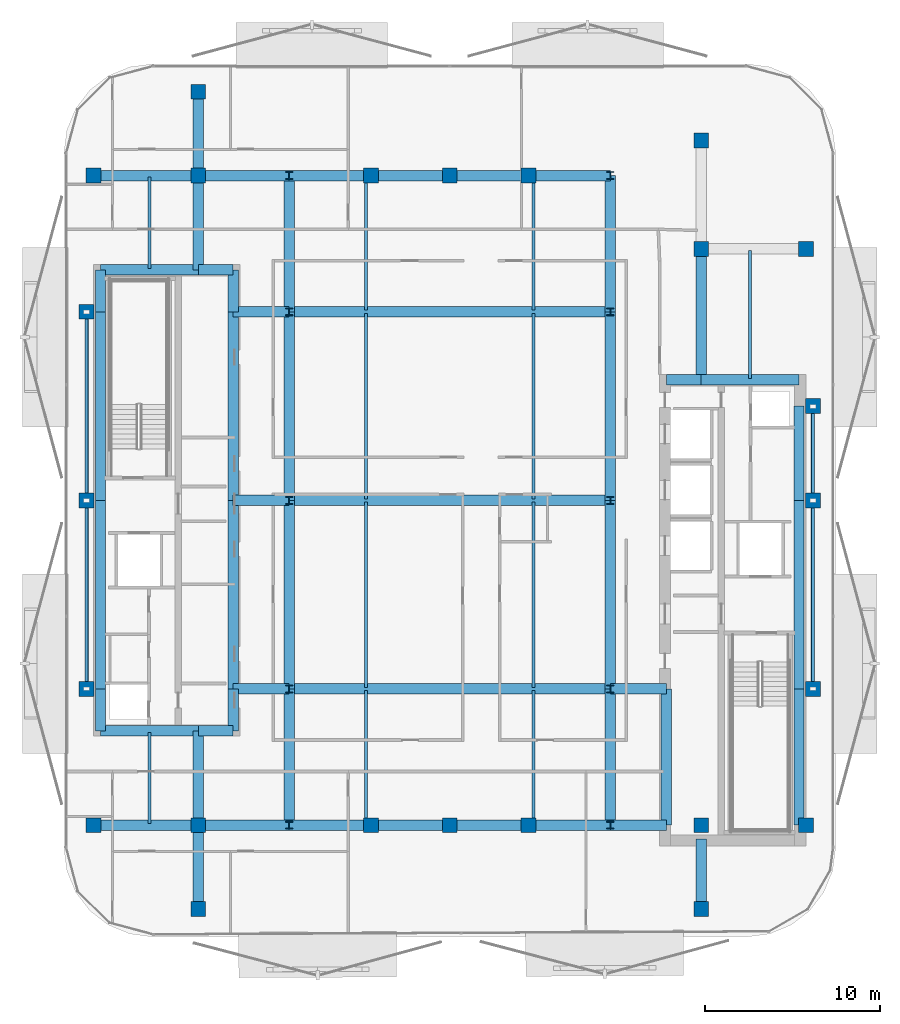
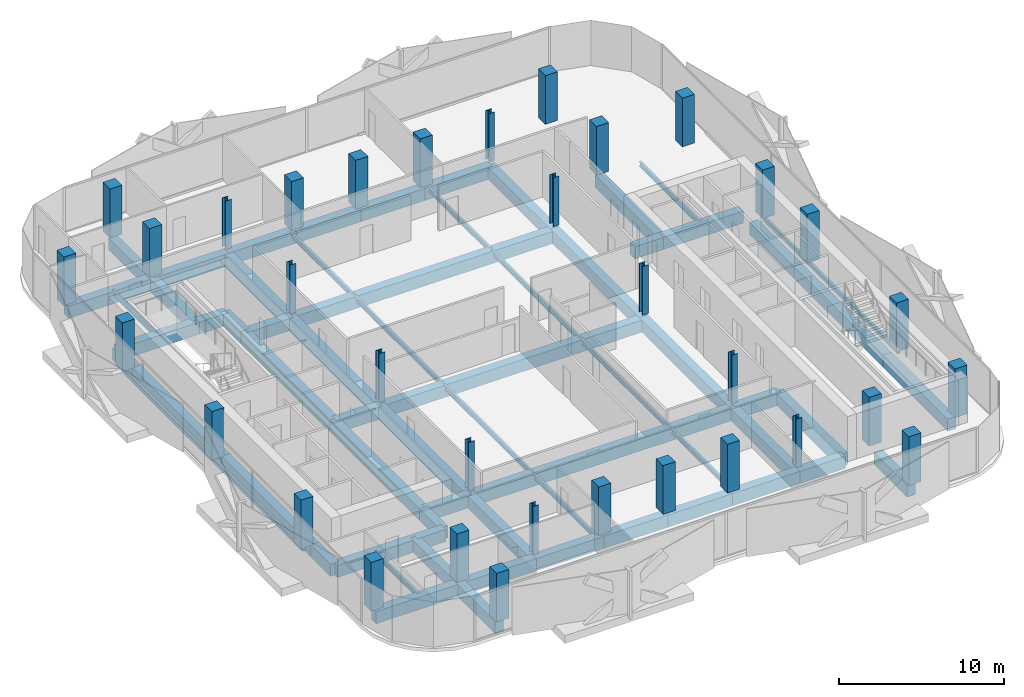
# One storey, part 1 of 14: 67 beams, 34 columns.
"""IFC4 building model written with IfcOpenShell, lengths in metres."""

from ifc_helpers import new_model, si_unit, direction, frame, origin, origin_2d, place, context, subcontext, project, spatial, rectangle, hollow_rectangle, i_section, extrude, material, material_profile, profile_set, type_object, element, save


model = new_model("IFC4")

# Units and contexts
model_context = context("Model", 3, precision=1e-05, world=origin(), true_north=direction((0.0, 1.0)))
body_context = subcontext(model_context, "Body", "Model", "MODEL_VIEW")
ifc_project = project(units=[si_unit("LENGTHUNIT", "METRE"), si_unit("AREAUNIT", "SQUARE_METRE"), si_unit("VOLUMEUNIT", "CUBIC_METRE"), si_unit("PLANEANGLEUNIT", "RADIAN"), si_unit("MASSUNIT", "GRAM", prefix="KILO")], contexts=[model_context])

# Site, building, storey
site_placement = place(None, origin())
site = spatial("IfcSite", under=ifc_project, at=site_placement, CompositionType="ELEMENT")
building_placement = place(site_placement, origin())
building = spatial("IfcBuilding", under=site, at=building_placement, Name="Khairoan Windgate Tower", CompositionType="ELEMENT")
storey_placement = place(building_placement, frame((0.0, 0.0, 236.800048828125)))
storey = spatial("IfcBuildingStorey", under=building, at=storey_placement, Name="L55", CompositionType="ELEMENT", Elevation=236.800048828125)

# Columns
ifc_material_1 = material(Name="Concrete C50/60", Category="concrete")
ifc_material_profile_1 = material_profile(ifc_material_1, rectangle(XDim=0.85009765625, YDim=0.85009765625, at=origin_2d()))
ifc_profile_set_1 = profile_set([ifc_material_profile_1], Name="Concrete C50/60")
column_type_1 = type_object("IfcColumnType", Name="Column C-T5 RC850x850", PredefinedType="COLUMN", material=ifc_profile_set_1)
for number, where, z_axis, x_axis, name in (
    (1, (-20.39990234375, -18.60009765625, 0.0), (0.0, 0.0, 1.0), (1.0, 0.0, 0.0), "Column L55-11"),
    (2, (-20.39990234375, 18.60009765625, 0.0), (0.0, 0.0, 1.0), (1.0, 0.0, 0.0), "Column L55-12"),
    (3, (20.39990234375, -18.60009765625, 0.0), (0.0, 0.0, 1.0), (1.0, 0.0, 0.0), "Column L55-13"),
    (4, (20.39990234375, 14.39990234375, 0.0), (0.0, 0.0, 1.0), (1.0, 0.0, 0.0), "Column L55-14"),
    (5, (-14.39990234375, -18.60009765625, 0.0), (0.0, 0.0, 1.0), (1.0, 0.0, 0.0), "Column L55-15"),
    (6, (-14.39990234375, 18.60009765625, 0.0), (0.0, 0.0, 1.0), (1.0, 0.0, 0.0), "Column L55-16"),
    (7, (14.39990234375, -18.60009765625, 0.0), (0.0, 0.0, 1.0), (1.0, 0.0, 0.0), "Column L55-17"),
    (8, (14.39990234375, 14.39990234375, 0.0), (0.0, 0.0, 1.0), (1.0, 0.0, 0.0), "Column L55-18"),
    (9, (-4.5, -18.60009765625, 0.0), (0.0, 0.0, 1.0), (1.0, 0.0, 0.0), "Column L55-19"),
    (10, (0.0, -18.60009765625, 0.0), (0.0, 0.0, 1.0), (1.0, 0.0, 0.0), "Column L55-20"),
    (11, (4.5, -18.60009765625, 0.0), (0.0, 0.0, 1.0), (1.0, 0.0, 0.0), "Column L55-21"),
    (12, (-4.5, 18.60009765625, 0.0), (0.0, 0.0, 1.0), (1.0, 0.0, 0.0), "Column L55-22"),
    (13, (0.0, 18.60009765625, 0.0), (0.0, 0.0, 1.0), (1.0, 0.0, 0.0), "Column L55-23"),
    (14, (4.5, 18.60009765625, 0.0), (0.0, 0.0, 1.0), (1.0, 0.0, 0.0), "Column L55-24"),
    (15, (-20.800048828125, -10.800048828125, 0.0), (0.0, 0.0, 1.0), (1.0, 0.0, 0.0), "Column L55-25"),
    (16, (-20.800048828125, 0.0, 0.0), (0.0, 0.0, 1.0), (1.0, 0.0, 0.0), "Column L55-26"),
    (17, (-20.800048828125, 10.800048828125, 0.0), (0.0, 0.0, 1.0), (1.0, 0.0, 0.0), "Column L55-27"),
    (18, (20.800048828125, -10.800048828125, 0.0), (0.0, 0.0, 1.0), (1.0, 0.0, 0.0), "Column L55-28"),
    (19, (20.800048828125, 0.0, 0.0), (0.0, 0.0, 1.0), (1.0, 0.0, 0.0), "Column L55-29"),
    (20, (20.800048828125, 5.39990234375, 0.0), (0.0, 0.0, 1.0), (1.0, 0.0, 0.0), "Column L55-30"),
    (21, (-14.39990234375, -23.39990234375, 0.0), (0.0, 0.0, 1.0), (1.0, 0.0, 0.0), "Column L55-31"),
    (22, (-14.39990234375, 23.39990234375, 0.0), (0.0, 0.0, 1.0), (1.0, 0.0, 0.0), "Column L55-32"),
    (23, (14.39990234375, -23.39990234375, 0.0), (0.0, 0.0, 1.0), (1.0, 0.0, 0.0), "Column L55-33"),
    (24, (14.39990234375, 20.60009765625, 0.0), (0.0, 0.0, 1.0), (1.0, 0.0, 0.0), "Column L55-34"),
):
    element("IfcColumn", number, at=place(storey_placement, frame(where, z_axis=z_axis, x_axis=x_axis)), inside=storey, type_object=column_type_1, Name=name, PredefinedType="COLUMN", context=body_context, shape_type="SweptSolid", body=[
        extrude(rectangle(XDim=0.85009765625, YDim=0.85009765625, at=origin_2d()), origin(), (0.0, 0.0, 1.0), 3.599853515625),
    ])
ifc_material_2 = material(Name="Steel S355", Category="steel")
ifc_material_profile_2 = material_profile(ifc_material_2, i_section(OverallWidth=0.406982421875, OverallDepth=0.427978515625, WebThickness=0.02001953125, FlangeThickness=0.034912109375, FilletRadius=0.02197265625, at=origin_2d()))
ifc_profile_set_2 = profile_set([ifc_material_profile_2], Name="Steel S355")
column_type_2 = type_object("IfcColumnType", Name="Steel Column SC3 H428x407x20x35", PredefinedType="COLUMN", material=ifc_profile_set_2)
for number, where, z_axis, x_axis, name in (
    (25, (-9.199951171875, -18.60009765625, 0.0), (0.0, 0.0, 1.0), (1.0, 0.0, 0.0), "Column L55-01"),
    (26, (-9.199951171875, -10.800048828125, 0.0), (0.0, 0.0, 1.0), (1.0, 0.0, 0.0), "Column L55-02"),
    (27, (-9.199951171875, 0.0, 0.0), (0.0, 0.0, 1.0), (1.0, 0.0, 0.0), "Column L55-03"),
    (28, (-9.199951171875, 10.800048828125, 0.0), (0.0, 0.0, 1.0), (1.0, 0.0, 0.0), "Column L55-04"),
    (29, (-9.199951171875, 18.60009765625, 0.0), (0.0, 0.0, 1.0), (1.0, 0.0, 0.0), "Column L55-05"),
    (30, (9.199951171875, -18.60009765625, 0.0), (0.0, 0.0, 1.0), (1.0, 0.0, 0.0), "Column L55-06"),
    (31, (9.199951171875, -10.800048828125, 0.0), (0.0, 0.0, 1.0), (1.0, 0.0, 0.0), "Column L55-07"),
    (32, (9.199951171875, 0.0, 0.0), (0.0, 0.0, 1.0), (1.0, 0.0, 0.0), "Column L55-08"),
    (33, (9.199951171875, 10.800048828125, 0.0), (0.0, 0.0, 1.0), (1.0, 0.0, 0.0), "Column L55-09"),
    (34, (9.199951171875, 18.60009765625, 0.0), (0.0, 0.0, 1.0), (1.0, 0.0, 0.0), "Column L55-10"),
):
    element("IfcColumn", number, at=place(storey_placement, frame(where, z_axis=z_axis, x_axis=x_axis)), inside=storey, type_object=column_type_2, Name=name, PredefinedType="COLUMN", context=body_context, shape_type="SweptSolid", body=[
        extrude(i_section(OverallWidth=0.406982421875, OverallDepth=0.427978515625, WebThickness=0.02001953125, FlangeThickness=0.034912109375, FilletRadius=0.02197265625, at=origin_2d()), origin(), (0.0, 0.0, 1.0), 3.599853515625),
    ])

# Beams
ifc_material_3 = material(Name="Concrete C50/60", Category="concrete")
ifc_material_profile_3 = material_profile(ifc_material_3, rectangle(XDim=0.60009765625, YDim=0.89990234375, at=origin_2d()))
ifc_profile_set_3 = profile_set([ifc_material_profile_3], Name="Concrete C50/60")
beam_type_1 = type_object("IfcBeamType", Name="Beam B-RC1 RC600x900", PredefinedType="BEAM", material=ifc_profile_set_3)
beam_1_placement = place(storey_placement, frame((-20.39990234375, -18.60009765625, -0.7099609375), z_axis=(1.0, 0.0, 0.0), x_axis=(0.0, 1.0, 0.0)))
element("IfcBeam", 35, at=beam_1_placement, inside=storey, type_object=beam_type_1, Name="L55 E-W Primary Girder 01", PredefinedType="BEAM", context=body_context, shape_type="SweptSolid", body=[
    extrude(rectangle(XDim=0.60009765625, YDim=0.89990234375, at=origin_2d()), origin(), (0.0, 0.0, 1.0), 6.0),
])
beam_2_placement = place(storey_placement, frame((-14.39990234375, -18.60009765625, -0.7099609375), z_axis=(1.0, 0.0, 0.0), x_axis=(0.0, 1.0, 0.0)))
element("IfcBeam", 36, at=beam_2_placement, inside=storey, type_object=beam_type_1, Name="L55 E-W Primary Girder 02", PredefinedType="BEAM", context=body_context, shape_type="SweptSolid", body=[
    extrude(rectangle(XDim=0.60009765625, YDim=0.89990234375, at=origin_2d()), origin(), (0.0, 0.0, 1.0), 5.199951171875),
])
beam_3_placement = place(storey_placement, frame((-9.199951171875, -18.60009765625, -0.7099609375), z_axis=(1.0, 0.0, 0.0), x_axis=(0.0, 1.0, 0.0)))
element("IfcBeam", 37, at=beam_3_placement, inside=storey, type_object=beam_type_1, Name="L55 E-W Primary Girder 03", PredefinedType="BEAM", context=body_context, shape_type="SweptSolid", body=[
    extrude(rectangle(XDim=0.60009765625, YDim=0.89990234375, at=origin_2d()), origin(), (0.0, 0.0, 1.0), 4.699951171875),
])
for number, where, z_axis, x_axis, name in (
    (38, (-4.5, -18.60009765625, -0.7099609375), (1.0, 0.0, 0.0), (0.0, 1.0, 0.0), "L55 E-W Primary Girder 04"),
    (39, (0.0, -18.60009765625, -0.7099609375), (1.0, 0.0, 0.0), (0.0, 1.0, 0.0), "L55 E-W Primary Girder 05"),
):
    element("IfcBeam", number, at=place(storey_placement, frame(where, z_axis=z_axis, x_axis=x_axis)), inside=storey, type_object=beam_type_1, Name=name, PredefinedType="BEAM", context=body_context, shape_type="SweptSolid", body=[
        extrude(rectangle(XDim=0.60009765625, YDim=0.89990234375, at=origin_2d()), origin(), (0.0, 0.0, 1.0), 4.5),
    ])
beam_4_placement = place(storey_placement, frame((4.5, -18.60009765625, -0.7099609375), z_axis=(1.0, 0.0, 0.0), x_axis=(0.0, 1.0, 0.0)))
element("IfcBeam", 40, at=beam_4_placement, inside=storey, type_object=beam_type_1, Name="L55 E-W Primary Girder 06", PredefinedType="BEAM", context=body_context, shape_type="SweptSolid", body=[
    extrude(rectangle(XDim=0.60009765625, YDim=0.89990234375, at=origin_2d()), origin(), (0.0, 0.0, 1.0), 4.699951171875),
])
beam_5_placement = place(storey_placement, frame((9.199951171875, -18.60009765625, -0.7099609375), z_axis=(1.0, 0.0, 0.0), x_axis=(0.0, 1.0, 0.0)))
element("IfcBeam", 41, at=beam_5_placement, inside=storey, type_object=beam_type_1, Name="L55 E-W Primary Girder 07", PredefinedType="BEAM", context=body_context, shape_type="SweptSolid", body=[
    extrude(rectangle(XDim=0.60009765625, YDim=0.89990234375, at=origin_2d()), origin(), (0.0, 0.0, 1.0), 3.199951171875),
])
beam_6_placement = place(storey_placement, frame((-20.0, -13.199951171875, -0.7099609375), z_axis=(1.0, 0.0, 0.0), x_axis=(0.0, 1.0, 0.0)))
element("IfcBeam", 42, at=beam_6_placement, inside=storey, type_object=beam_type_1, Name="L55 E-W Primary Girder 08", PredefinedType="BEAM", context=body_context, shape_type="SweptSolid", body=[
    extrude(rectangle(XDim=0.60009765625, YDim=0.89990234375, at=origin_2d()), origin(), (0.0, 0.0, 1.0), 5.60009765625),
])
beam_7_placement = place(storey_placement, frame((-14.39990234375, -13.199951171875, -0.7099609375), z_axis=(1.0, 0.0, 0.0), x_axis=(0.0, 1.0, 0.0)))
element("IfcBeam", 43, at=beam_7_placement, inside=storey, type_object=beam_type_1, Name="L55 E-W Primary Girder 09", PredefinedType="BEAM", context=body_context, shape_type="SweptSolid", body=[
    extrude(rectangle(XDim=0.60009765625, YDim=0.89990234375, at=origin_2d()), origin(), (0.0, 0.0, 1.0), 2.0),
])
beam_8_placement = place(storey_placement, frame((-12.39990234375, -10.800048828125, -0.7099609375), z_axis=(1.0, 0.0, 0.0), x_axis=(0.0, 1.0, 0.0)))
element("IfcBeam", 44, at=beam_8_placement, inside=storey, type_object=beam_type_1, Name="L55 E-W Primary Girder 10", PredefinedType="BEAM", context=body_context, shape_type="SweptSolid", body=[
    extrude(rectangle(XDim=0.60009765625, YDim=0.89990234375, at=origin_2d()), origin(), (0.0, 0.0, 1.0), 3.199951171875),
])
beam_9_placement = place(storey_placement, frame((-9.199951171875, -10.800048828125, -0.7099609375), z_axis=(1.0, 0.0, 0.0), x_axis=(0.0, 1.0, 0.0)))
element("IfcBeam", 45, at=beam_9_placement, inside=storey, type_object=beam_type_1, Name="L55 E-W Primary Girder 11", PredefinedType="BEAM", context=body_context, shape_type="SweptSolid", body=[
    extrude(rectangle(XDim=0.60009765625, YDim=0.89990234375, at=origin_2d()), origin(), (0.0, 0.0, 1.0), 18.39990234375),
])
for number, where, z_axis, x_axis, name in (
    (46, (9.199951171875, -10.800048828125, -0.7099609375), (1.0, 0.0, 0.0), (0.0, 1.0, 0.0), "L55 E-W Primary Girder 12"),
    (47, (-12.39990234375, 0.0, -0.7099609375), (1.0, 0.0, 0.0), (0.0, 1.0, 0.0), "L55 E-W Primary Girder 13"),
):
    element("IfcBeam", number, at=place(storey_placement, frame(where, z_axis=z_axis, x_axis=x_axis)), inside=storey, type_object=beam_type_1, Name=name, PredefinedType="BEAM", context=body_context, shape_type="SweptSolid", body=[
        extrude(rectangle(XDim=0.60009765625, YDim=0.89990234375, at=origin_2d()), origin(), (0.0, 0.0, 1.0), 3.199951171875),
    ])
beam_10_placement = place(storey_placement, frame((-9.199951171875, 0.0, -0.7099609375), z_axis=(1.0, 0.0, 0.0), x_axis=(0.0, 1.0, 0.0)))
element("IfcBeam", 48, at=beam_10_placement, inside=storey, type_object=beam_type_1, Name="L55 E-W Primary Girder 14", PredefinedType="BEAM", context=body_context, shape_type="SweptSolid", body=[
    extrude(rectangle(XDim=0.60009765625, YDim=0.89990234375, at=origin_2d()), origin(), (0.0, 0.0, 1.0), 18.39990234375),
])
beam_11_placement = place(storey_placement, frame((12.39990234375, 6.89990234375, -0.7099609375), z_axis=(1.0, 0.0, 0.0), x_axis=(0.0, 1.0, 0.0)))
element("IfcBeam", 49, at=beam_11_placement, inside=storey, type_object=beam_type_1, Name="L55 E-W Primary Girder 15", PredefinedType="BEAM", context=body_context, shape_type="SweptSolid", body=[
    extrude(rectangle(XDim=0.60009765625, YDim=0.89990234375, at=origin_2d()), origin(), (0.0, 0.0, 1.0), 2.0),
])
beam_12_placement = place(storey_placement, frame((14.39990234375, 6.89990234375, -0.7099609375), z_axis=(1.0, 0.0, 0.0), x_axis=(0.0, 1.0, 0.0)))
element("IfcBeam", 50, at=beam_12_placement, inside=storey, type_object=beam_type_1, Name="L55 E-W Primary Girder 16", PredefinedType="BEAM", context=body_context, shape_type="SweptSolid", body=[
    extrude(rectangle(XDim=0.60009765625, YDim=0.89990234375, at=origin_2d()), origin(), (0.0, 0.0, 1.0), 5.60009765625),
])
beam_13_placement = place(storey_placement, frame((-12.39990234375, 10.800048828125, -0.7099609375), z_axis=(1.0, 0.0, 0.0), x_axis=(0.0, 1.0, 0.0)))
element("IfcBeam", 51, at=beam_13_placement, inside=storey, type_object=beam_type_1, Name="L55 E-W Primary Girder 17", PredefinedType="BEAM", context=body_context, shape_type="SweptSolid", body=[
    extrude(rectangle(XDim=0.60009765625, YDim=0.89990234375, at=origin_2d()), origin(), (0.0, 0.0, 1.0), 3.199951171875),
])
beam_14_placement = place(storey_placement, frame((-9.199951171875, 10.800048828125, -0.7099609375), z_axis=(1.0, 0.0, 0.0), x_axis=(0.0, 1.0, 0.0)))
element("IfcBeam", 52, at=beam_14_placement, inside=storey, type_object=beam_type_1, Name="L55 E-W Primary Girder 18", PredefinedType="BEAM", context=body_context, shape_type="SweptSolid", body=[
    extrude(rectangle(XDim=0.60009765625, YDim=0.89990234375, at=origin_2d()), origin(), (0.0, 0.0, 1.0), 18.39990234375),
])
beam_15_placement = place(storey_placement, frame((-20.0, 13.199951171875, -0.7099609375), z_axis=(1.0, 0.0, 0.0), x_axis=(0.0, 1.0, 0.0)))
element("IfcBeam", 53, at=beam_15_placement, inside=storey, type_object=beam_type_1, Name="L55 E-W Primary Girder 19", PredefinedType="BEAM", context=body_context, shape_type="SweptSolid", body=[
    extrude(rectangle(XDim=0.60009765625, YDim=0.89990234375, at=origin_2d()), origin(), (0.0, 0.0, 1.0), 5.60009765625),
])
beam_16_placement = place(storey_placement, frame((-14.39990234375, 13.199951171875, -0.7099609375), z_axis=(1.0, 0.0, 0.0), x_axis=(0.0, 1.0, 0.0)))
element("IfcBeam", 54, at=beam_16_placement, inside=storey, type_object=beam_type_1, Name="L55 E-W Primary Girder 20", PredefinedType="BEAM", context=body_context, shape_type="SweptSolid", body=[
    extrude(rectangle(XDim=0.60009765625, YDim=0.89990234375, at=origin_2d()), origin(), (0.0, 0.0, 1.0), 2.0),
])
beam_17_placement = place(storey_placement, frame((-20.39990234375, 18.60009765625, -0.7099609375), z_axis=(1.0, 0.0, 0.0), x_axis=(0.0, 1.0, 0.0)))
element("IfcBeam", 55, at=beam_17_placement, inside=storey, type_object=beam_type_1, Name="L55 E-W Primary Girder 22", PredefinedType="BEAM", context=body_context, shape_type="SweptSolid", body=[
    extrude(rectangle(XDim=0.60009765625, YDim=0.89990234375, at=origin_2d()), origin(), (0.0, 0.0, 1.0), 6.0),
])
beam_18_placement = place(storey_placement, frame((-14.39990234375, 18.60009765625, -0.7099609375), z_axis=(1.0, 0.0, 0.0), x_axis=(0.0, 1.0, 0.0)))
element("IfcBeam", 56, at=beam_18_placement, inside=storey, type_object=beam_type_1, Name="L55 E-W Primary Girder 23", PredefinedType="BEAM", context=body_context, shape_type="SweptSolid", body=[
    extrude(rectangle(XDim=0.60009765625, YDim=0.89990234375, at=origin_2d()), origin(), (0.0, 0.0, 1.0), 5.199951171875),
])
beam_19_placement = place(storey_placement, frame((-9.199951171875, 18.60009765625, -0.7099609375), z_axis=(1.0, 0.0, 0.0), x_axis=(0.0, 1.0, 0.0)))
element("IfcBeam", 57, at=beam_19_placement, inside=storey, type_object=beam_type_1, Name="L55 E-W Primary Girder 24", PredefinedType="BEAM", context=body_context, shape_type="SweptSolid", body=[
    extrude(rectangle(XDim=0.60009765625, YDim=0.89990234375, at=origin_2d()), origin(), (0.0, 0.0, 1.0), 4.699951171875),
])
for number, where, z_axis, x_axis, name in (
    (58, (-4.5, 18.60009765625, -0.7099609375), (1.0, 0.0, 0.0), (0.0, 1.0, 0.0), "L55 E-W Primary Girder 25"),
    (59, (0.0, 18.60009765625, -0.7099609375), (1.0, 0.0, 0.0), (0.0, 1.0, 0.0), "L55 E-W Primary Girder 26"),
):
    element("IfcBeam", number, at=place(storey_placement, frame(where, z_axis=z_axis, x_axis=x_axis)), inside=storey, type_object=beam_type_1, Name=name, PredefinedType="BEAM", context=body_context, shape_type="SweptSolid", body=[
        extrude(rectangle(XDim=0.60009765625, YDim=0.89990234375, at=origin_2d()), origin(), (0.0, 0.0, 1.0), 4.5),
    ])
beam_20_placement = place(storey_placement, frame((4.5, 18.60009765625, -0.7099609375), z_axis=(1.0, 0.0, 0.0), x_axis=(0.0, 1.0, 0.0)))
element("IfcBeam", 60, at=beam_20_placement, inside=storey, type_object=beam_type_1, Name="L55 E-W Primary Girder 27", PredefinedType="BEAM", context=body_context, shape_type="SweptSolid", body=[
    extrude(rectangle(XDim=0.60009765625, YDim=0.89990234375, at=origin_2d()), origin(), (0.0, 0.0, 1.0), 4.699951171875),
])
beam_21_placement = place(storey_placement, frame((-20.0, -13.199951171875, -0.7099609375), z_axis=(0.0, 1.0, 0.0), x_axis=(-1.0, 0.0, 0.0)))
element("IfcBeam", 61, at=beam_21_placement, inside=storey, type_object=beam_type_1, Name="L55 N-S Primary Beam 30", PredefinedType="BEAM", context=body_context, shape_type="SweptSolid", body=[
    extrude(rectangle(XDim=0.60009765625, YDim=0.89990234375, at=origin_2d()), origin(), (0.0, 0.0, 1.0), 2.39990234375),
])
for number, where, z_axis, x_axis, name in (
    (62, (-20.0, -10.800048828125, -0.7099609375), (0.0, 1.0, 0.0), (-1.0, 0.0, 0.0), "L55 N-S Primary Beam 31"),
    (63, (-20.0, 0.0, -0.7099609375), (0.0, 1.0, 0.0), (-1.0, 0.0, 0.0), "L55 N-S Primary Beam 32"),
):
    element("IfcBeam", number, at=place(storey_placement, frame(where, z_axis=z_axis, x_axis=x_axis)), inside=storey, type_object=beam_type_1, Name=name, PredefinedType="BEAM", context=body_context, shape_type="SweptSolid", body=[
        extrude(rectangle(XDim=0.60009765625, YDim=0.89990234375, at=origin_2d()), origin(), (0.0, 0.0, 1.0), 10.800048828125),
    ])
beam_22_placement = place(storey_placement, frame((-20.0, 10.800048828125, -0.7099609375), z_axis=(0.0, 1.0, 0.0), x_axis=(-1.0, 0.0, 0.0)))
element("IfcBeam", 64, at=beam_22_placement, inside=storey, type_object=beam_type_1, Name="L55 N-S Primary Beam 33", PredefinedType="BEAM", context=body_context, shape_type="SweptSolid", body=[
    extrude(rectangle(XDim=0.60009765625, YDim=0.89990234375, at=origin_2d()), origin(), (0.0, 0.0, 1.0), 2.39990234375),
])
beam_23_placement = place(storey_placement, frame((-14.39990234375, -23.39990234375, -0.7099609375), z_axis=(0.0, 1.0, 0.0), x_axis=(-1.0, 0.0, 0.0)))
element("IfcBeam", 65, at=beam_23_placement, inside=storey, type_object=beam_type_1, Name="L55 N-S Primary Beam 34", PredefinedType="BEAM", context=body_context, shape_type="SweptSolid", body=[
    extrude(rectangle(XDim=0.60009765625, YDim=0.89990234375, at=origin_2d()), origin(), (0.0, 0.0, 1.0), 4.7998046875),
])
for number, where, z_axis, x_axis, name in (
    (66, (-14.39990234375, -18.60009765625, -0.7099609375), (0.0, 1.0, 0.0), (-1.0, 0.0, 0.0), "L55 N-S Primary Beam 35"),
    (67, (-14.39990234375, 13.199951171875, -0.7099609375), (0.0, 1.0, 0.0), (-1.0, 0.0, 0.0), "L55 N-S Primary Beam 36"),
):
    element("IfcBeam", number, at=place(storey_placement, frame(where, z_axis=z_axis, x_axis=x_axis)), inside=storey, type_object=beam_type_1, Name=name, PredefinedType="BEAM", context=body_context, shape_type="SweptSolid", body=[
        extrude(rectangle(XDim=0.60009765625, YDim=0.89990234375, at=origin_2d()), origin(), (0.0, 0.0, 1.0), 5.400146484375),
    ])
beam_24_placement = place(storey_placement, frame((-14.39990234375, 18.60009765625, -0.7099609375), z_axis=(0.0, 1.0, 0.0), x_axis=(-1.0, 0.0, 0.0)))
element("IfcBeam", 68, at=beam_24_placement, inside=storey, type_object=beam_type_1, Name="L55 N-S Primary Beam 37", PredefinedType="BEAM", context=body_context, shape_type="SweptSolid", body=[
    extrude(rectangle(XDim=0.60009765625, YDim=0.89990234375, at=origin_2d()), origin(), (0.0, 0.0, 1.0), 4.7998046875),
])
beam_25_placement = place(storey_placement, frame((-12.39990234375, -13.199951171875, -0.7099609375), z_axis=(0.0, 1.0, 0.0), x_axis=(-1.0, 0.0, 0.0)))
element("IfcBeam", 69, at=beam_25_placement, inside=storey, type_object=beam_type_1, Name="L55 N-S Primary Beam 38", PredefinedType="BEAM", context=body_context, shape_type="SweptSolid", body=[
    extrude(rectangle(XDim=0.60009765625, YDim=0.89990234375, at=origin_2d()), origin(), (0.0, 0.0, 1.0), 2.39990234375),
])
for number, where, z_axis, x_axis, name in (
    (70, (-12.39990234375, -10.800048828125, -0.7099609375), (0.0, 1.0, 0.0), (-1.0, 0.0, 0.0), "L55 N-S Primary Beam 39"),
    (71, (-12.39990234375, 0.0, -0.7099609375), (0.0, 1.0, 0.0), (-1.0, 0.0, 0.0), "L55 N-S Primary Beam 40"),
):
    element("IfcBeam", number, at=place(storey_placement, frame(where, z_axis=z_axis, x_axis=x_axis)), inside=storey, type_object=beam_type_1, Name=name, PredefinedType="BEAM", context=body_context, shape_type="SweptSolid", body=[
        extrude(rectangle(XDim=0.60009765625, YDim=0.89990234375, at=origin_2d()), origin(), (0.0, 0.0, 1.0), 10.800048828125),
    ])
beam_26_placement = place(storey_placement, frame((-12.39990234375, 10.800048828125, -0.7099609375), z_axis=(0.0, 1.0, 0.0), x_axis=(-1.0, 0.0, 0.0)))
element("IfcBeam", 72, at=beam_26_placement, inside=storey, type_object=beam_type_1, Name="L55 N-S Primary Beam 41", PredefinedType="BEAM", context=body_context, shape_type="SweptSolid", body=[
    extrude(rectangle(XDim=0.60009765625, YDim=0.89990234375, at=origin_2d()), origin(), (0.0, 0.0, 1.0), 2.39990234375),
])
beam_27_placement = place(storey_placement, frame((-9.199951171875, -18.60009765625, -0.7099609375), z_axis=(0.0, 1.0, 0.0), x_axis=(-1.0, 0.0, 0.0)))
element("IfcBeam", 73, at=beam_27_placement, inside=storey, type_object=beam_type_1, Name="L55 N-S Primary Beam 42", PredefinedType="BEAM", context=body_context, shape_type="SweptSolid", body=[
    extrude(rectangle(XDim=0.60009765625, YDim=0.89990234375, at=origin_2d()), origin(), (0.0, 0.0, 1.0), 7.800048828125),
])
for number, where, z_axis, x_axis, name in (
    (74, (-9.199951171875, -10.800048828125, -0.7099609375), (0.0, 1.0, 0.0), (-1.0, 0.0, 0.0), "L55 N-S Primary Beam 43"),
    (75, (-9.199951171875, 0.0, -0.7099609375), (0.0, 1.0, 0.0), (-1.0, 0.0, 0.0), "L55 N-S Primary Beam 44"),
):
    element("IfcBeam", number, at=place(storey_placement, frame(where, z_axis=z_axis, x_axis=x_axis)), inside=storey, type_object=beam_type_1, Name=name, PredefinedType="BEAM", context=body_context, shape_type="SweptSolid", body=[
        extrude(rectangle(XDim=0.60009765625, YDim=0.89990234375, at=origin_2d()), origin(), (0.0, 0.0, 1.0), 10.800048828125),
    ])
for number, where, z_axis, x_axis, name in (
    (76, (-9.199951171875, 10.800048828125, -0.7099609375), (0.0, 1.0, 0.0), (-1.0, 0.0, 0.0), "L55 N-S Primary Beam 45"),
    (77, (9.199951171875, -18.60009765625, -0.7099609375), (0.0, 1.0, 0.0), (-1.0, 0.0, 0.0), "L55 N-S Primary Beam 46"),
):
    element("IfcBeam", number, at=place(storey_placement, frame(where, z_axis=z_axis, x_axis=x_axis)), inside=storey, type_object=beam_type_1, Name=name, PredefinedType="BEAM", context=body_context, shape_type="SweptSolid", body=[
        extrude(rectangle(XDim=0.60009765625, YDim=0.89990234375, at=origin_2d()), origin(), (0.0, 0.0, 1.0), 7.800048828125),
    ])
for number, where, z_axis, x_axis, name in (
    (78, (9.199951171875, -10.800048828125, -0.7099609375), (0.0, 1.0, 0.0), (-1.0, 0.0, 0.0), "L55 N-S Primary Beam 47"),
    (79, (9.199951171875, 0.0, -0.7099609375), (0.0, 1.0, 0.0), (-1.0, 0.0, 0.0), "L55 N-S Primary Beam 48"),
):
    element("IfcBeam", number, at=place(storey_placement, frame(where, z_axis=z_axis, x_axis=x_axis)), inside=storey, type_object=beam_type_1, Name=name, PredefinedType="BEAM", context=body_context, shape_type="SweptSolid", body=[
        extrude(rectangle(XDim=0.60009765625, YDim=0.89990234375, at=origin_2d()), origin(), (0.0, 0.0, 1.0), 10.800048828125),
    ])
for number, where, z_axis, x_axis, name in (
    (80, (9.199951171875, 10.800048828125, -0.7099609375), (0.0, 1.0, 0.0), (-1.0, 0.0, 0.0), "L55 N-S Primary Beam 49"),
    (81, (12.39990234375, -18.60009765625, -0.7099609375), (0.0, 1.0, 0.0), (-1.0, 0.0, 0.0), "L55 N-S Primary Beam 50"),
):
    element("IfcBeam", number, at=place(storey_placement, frame(where, z_axis=z_axis, x_axis=x_axis)), inside=storey, type_object=beam_type_1, Name=name, PredefinedType="BEAM", context=body_context, shape_type="SweptSolid", body=[
        extrude(rectangle(XDim=0.60009765625, YDim=0.89990234375, at=origin_2d()), origin(), (0.0, 0.0, 1.0), 7.800048828125),
    ])
beam_28_placement = place(storey_placement, frame((14.39990234375, -23.39990234375, -0.7099609375), z_axis=(0.0, 1.0, 0.0), x_axis=(-1.0, 0.0, 0.0)))
element("IfcBeam", 82, at=beam_28_placement, inside=storey, type_object=beam_type_1, Name="L55 N-S Primary Beam 51", PredefinedType="BEAM", context=body_context, shape_type="SweptSolid", body=[
    extrude(rectangle(XDim=0.60009765625, YDim=0.89990234375, at=origin_2d()), origin(), (0.0, 0.0, 1.0), 4.0),
])
beam_29_placement = place(storey_placement, frame((14.39990234375, 6.89990234375, -0.7099609375), z_axis=(0.0, 1.0, 0.0), x_axis=(-1.0, 0.0, 0.0)))
element("IfcBeam", 83, at=beam_29_placement, inside=storey, type_object=beam_type_1, Name="L55 N-S Primary Beam 52", PredefinedType="BEAM", context=body_context, shape_type="SweptSolid", body=[
    extrude(rectangle(XDim=0.60009765625, YDim=0.89990234375, at=origin_2d()), origin(), (0.0, 0.0, 1.0), 7.5),
])
beam_30_placement = place(storey_placement, frame((20.0, -18.60009765625, -0.7099609375), z_axis=(0.0, 1.0, 0.0), x_axis=(-1.0, 0.0, 0.0)))
element("IfcBeam", 84, at=beam_30_placement, inside=storey, type_object=beam_type_1, Name="L55 N-S Primary Beam 54", PredefinedType="BEAM", context=body_context, shape_type="SweptSolid", body=[
    extrude(rectangle(XDim=0.60009765625, YDim=0.89990234375, at=origin_2d()), origin(), (0.0, 0.0, 1.0), 7.800048828125),
])
beam_31_placement = place(storey_placement, frame((20.0, -10.800048828125, -0.7099609375), z_axis=(0.0, 1.0, 0.0), x_axis=(-1.0, 0.0, 0.0)))
element("IfcBeam", 85, at=beam_31_placement, inside=storey, type_object=beam_type_1, Name="L55 N-S Primary Beam 55", PredefinedType="BEAM", context=body_context, shape_type="SweptSolid", body=[
    extrude(rectangle(XDim=0.60009765625, YDim=0.89990234375, at=origin_2d()), origin(), (0.0, 0.0, 1.0), 10.800048828125),
])
beam_32_placement = place(storey_placement, frame((20.0, 0.0, -0.7099609375), z_axis=(0.0, 1.0, 0.0), x_axis=(-1.0, 0.0, 0.0)))
element("IfcBeam", 86, at=beam_32_placement, inside=storey, type_object=beam_type_1, Name="L55 N-S Primary Beam 56", PredefinedType="BEAM", context=body_context, shape_type="SweptSolid", body=[
    extrude(rectangle(XDim=0.60009765625, YDim=0.89990234375, at=origin_2d()), origin(), (0.0, 0.0, 1.0), 5.39990234375),
])
ifc_material_4 = material(Name="Steel S355", Category="steel")
ifc_material_profile_4 = material_profile(ifc_material_4, i_section(OverallWidth=0.175048828125, OverallDepth=0.35009765625, WebThickness=0.007080078125, FlangeThickness=0.010986328125, FilletRadius=0.013916015625, at=origin_2d()))
ifc_profile_set_4 = profile_set([ifc_material_profile_4], Name="Steel S355")
beam_type_2 = type_object("IfcBeamType", Name="Beam J-S5 H350x175x7x11", PredefinedType="JOIST", material=ifc_profile_set_4)
for number, where, z_axis, x_axis, name in (
    (87, (-17.199951171875, -18.510009765625, -0.43505859375), (0.0, 1.0, 0.0), (-1.0, 0.0, 0.0), "L55 Secondary Floor Joist 01"),
    (88, (-17.199951171875, 13.2900390625, -0.43505859375), (0.0, 1.0, 0.0), (-1.0, 0.0, 0.0), "L55 Secondary Floor Joist 02"),
):
    element("IfcBeam", number, at=place(storey_placement, frame(where, z_axis=z_axis, x_axis=x_axis)), inside=storey, type_object=beam_type_2, Name=name, PredefinedType="JOIST", context=body_context, shape_type="SweptSolid", body=[
        extrude(i_section(OverallWidth=0.175048828125, OverallDepth=0.35009765625, WebThickness=0.007080078125, FlangeThickness=0.010986328125, FilletRadius=0.013916015625, at=origin_2d()), origin(), (0.0, 0.0, 1.0), 5.219970703125),
    ])
beam_33_placement = place(storey_placement, frame((-4.800048828125, -18.510009765625, -0.43505859375), z_axis=(0.0, 1.0, 0.0), x_axis=(-1.0, 0.0, 0.0)))
element("IfcBeam", 89, at=beam_33_placement, inside=storey, type_object=beam_type_2, Name="L55 Secondary Floor Joist 03", PredefinedType="JOIST", context=body_context, shape_type="SweptSolid", body=[
    extrude(i_section(OverallWidth=0.175048828125, OverallDepth=0.35009765625, WebThickness=0.007080078125, FlangeThickness=0.010986328125, FilletRadius=0.013916015625, at=origin_2d()), origin(), (0.0, 0.0, 1.0), 7.6201171875),
])
for number, where, z_axis, x_axis, name in (
    (90, (-4.800048828125, -10.7099609375, -0.43505859375), (0.0, 1.0, 0.0), (-1.0, 0.0, 0.0), "L55 Secondary Floor Joist 04"),
    (91, (-4.800048828125, 0.090087890625, -0.43505859375), (0.0, 1.0, 0.0), (-1.0, 0.0, 0.0), "L55 Secondary Floor Joist 05"),
):
    element("IfcBeam", number, at=place(storey_placement, frame(where, z_axis=z_axis, x_axis=x_axis)), inside=storey, type_object=beam_type_2, Name=name, PredefinedType="JOIST", context=body_context, shape_type="SweptSolid", body=[
        extrude(i_section(OverallWidth=0.175048828125, OverallDepth=0.35009765625, WebThickness=0.007080078125, FlangeThickness=0.010986328125, FilletRadius=0.013916015625, at=origin_2d()), origin(), (0.0, 0.0, 1.0), 10.619873046875),
    ])
for number, where, z_axis, x_axis, name in (
    (92, (-4.800048828125, 10.889892578125, -0.43505859375), (0.0, 1.0, 0.0), (-1.0, 0.0, 0.0), "L55 Secondary Floor Joist 06"),
    (93, (4.800048828125, -18.510009765625, -0.43505859375), (0.0, 1.0, 0.0), (-1.0, 0.0, 0.0), "L55 Secondary Floor Joist 07"),
):
    element("IfcBeam", number, at=place(storey_placement, frame(where, z_axis=z_axis, x_axis=x_axis)), inside=storey, type_object=beam_type_2, Name=name, PredefinedType="JOIST", context=body_context, shape_type="SweptSolid", body=[
        extrude(i_section(OverallWidth=0.175048828125, OverallDepth=0.35009765625, WebThickness=0.007080078125, FlangeThickness=0.010986328125, FilletRadius=0.013916015625, at=origin_2d()), origin(), (0.0, 0.0, 1.0), 7.6201171875),
    ])
for number, where, z_axis, x_axis, name in (
    (94, (4.800048828125, -10.7099609375, -0.43505859375), (0.0, 1.0, 0.0), (-1.0, 0.0, 0.0), "L55 Secondary Floor Joist 08"),
    (95, (4.800048828125, 0.090087890625, -0.43505859375), (0.0, 1.0, 0.0), (-1.0, 0.0, 0.0), "L55 Secondary Floor Joist 09"),
):
    element("IfcBeam", number, at=place(storey_placement, frame(where, z_axis=z_axis, x_axis=x_axis)), inside=storey, type_object=beam_type_2, Name=name, PredefinedType="JOIST", context=body_context, shape_type="SweptSolid", body=[
        extrude(i_section(OverallWidth=0.175048828125, OverallDepth=0.35009765625, WebThickness=0.007080078125, FlangeThickness=0.010986328125, FilletRadius=0.013916015625, at=origin_2d()), origin(), (0.0, 0.0, 1.0), 10.619873046875),
    ])
beam_34_placement = place(storey_placement, frame((4.800048828125, 10.889892578125, -0.43505859375), z_axis=(0.0, 1.0, 0.0), x_axis=(-1.0, 0.0, 0.0)))
element("IfcBeam", 96, at=beam_34_placement, inside=storey, type_object=beam_type_2, Name="L55 Secondary Floor Joist 10", PredefinedType="JOIST", context=body_context, shape_type="SweptSolid", body=[
    extrude(i_section(OverallWidth=0.175048828125, OverallDepth=0.35009765625, WebThickness=0.007080078125, FlangeThickness=0.010986328125, FilletRadius=0.013916015625, at=origin_2d()), origin(), (0.0, 0.0, 1.0), 7.6201171875),
])
beam_35_placement = place(storey_placement, frame((17.199951171875, 6.989990234375, -0.43505859375), z_axis=(0.0, 1.0, 0.0), x_axis=(-1.0, 0.0, 0.0)))
element("IfcBeam", 97, at=beam_35_placement, inside=storey, type_object=beam_type_2, Name="L55 Secondary Floor Joist 11", PredefinedType="JOIST", context=body_context, shape_type="SweptSolid", body=[
    extrude(i_section(OverallWidth=0.175048828125, OverallDepth=0.35009765625, WebThickness=0.007080078125, FlangeThickness=0.010986328125, FilletRadius=0.013916015625, at=origin_2d()), origin(), (0.0, 0.0, 1.0), 7.320068359375),
])
ifc_material_5 = material(Name="Steel S355", Category="steel")
ifc_material_profile_5 = material_profile(ifc_material_5, hollow_rectangle(XDim=0.199951171875, YDim=0.300048828125, WallThickness=0.012451171875, InnerFilletRadius=0.012451171875, OuterFilletRadius=0.02490234375, at=origin_2d()))
ifc_profile_set_5 = profile_set([ifc_material_profile_5], Name="Steel S355")
beam_type_3 = type_object("IfcBeamType", Name="Beam SP-B3 RHS300x200x12.5", PredefinedType="SPANDREL", material=ifc_profile_set_5)
for number, where, z_axis, x_axis, name in (
    (98, (-20.800048828125, -10.800048828125, -0.41015625), (0.0, 1.0, 0.0), (-1.0, 0.0, 0.0), "L55 Spandrel Beam 28"),
    (99, (-20.800048828125, 0.0, -0.41015625), (0.0, 1.0, 0.0), (-1.0, 0.0, 0.0), "L55 Spandrel Beam 29"),
    (100, (20.800048828125, -10.800048828125, -0.41015625), (0.0, 1.0, 0.0), (-1.0, 0.0, 0.0), "L55 Spandrel Beam 57"),
):
    element("IfcBeam", number, at=place(storey_placement, frame(where, z_axis=z_axis, x_axis=x_axis)), inside=storey, type_object=beam_type_3, Name=name, PredefinedType="SPANDREL", context=body_context, shape_type="SweptSolid", body=[
        extrude(hollow_rectangle(XDim=0.199951171875, YDim=0.300048828125, WallThickness=0.012451171875, InnerFilletRadius=0.012451171875, OuterFilletRadius=0.02490234375, at=origin_2d()), origin(), (0.0, 0.0, 1.0), 10.800048828125),
    ])
beam_36_placement = place(storey_placement, frame((20.800048828125, 0.0, -0.41015625), z_axis=(0.0, 1.0, 0.0), x_axis=(-1.0, 0.0, 0.0)))
element("IfcBeam", 101, at=beam_36_placement, inside=storey, type_object=beam_type_3, Name="L55 Spandrel Beam 58", PredefinedType="SPANDREL", context=body_context, shape_type="SweptSolid", body=[
    extrude(hollow_rectangle(XDim=0.199951171875, YDim=0.300048828125, WallThickness=0.012451171875, InnerFilletRadius=0.012451171875, OuterFilletRadius=0.02490234375, at=origin_2d()), origin(), (0.0, 0.0, 1.0), 5.39990234375),
])

save(model, "model.ifc")
